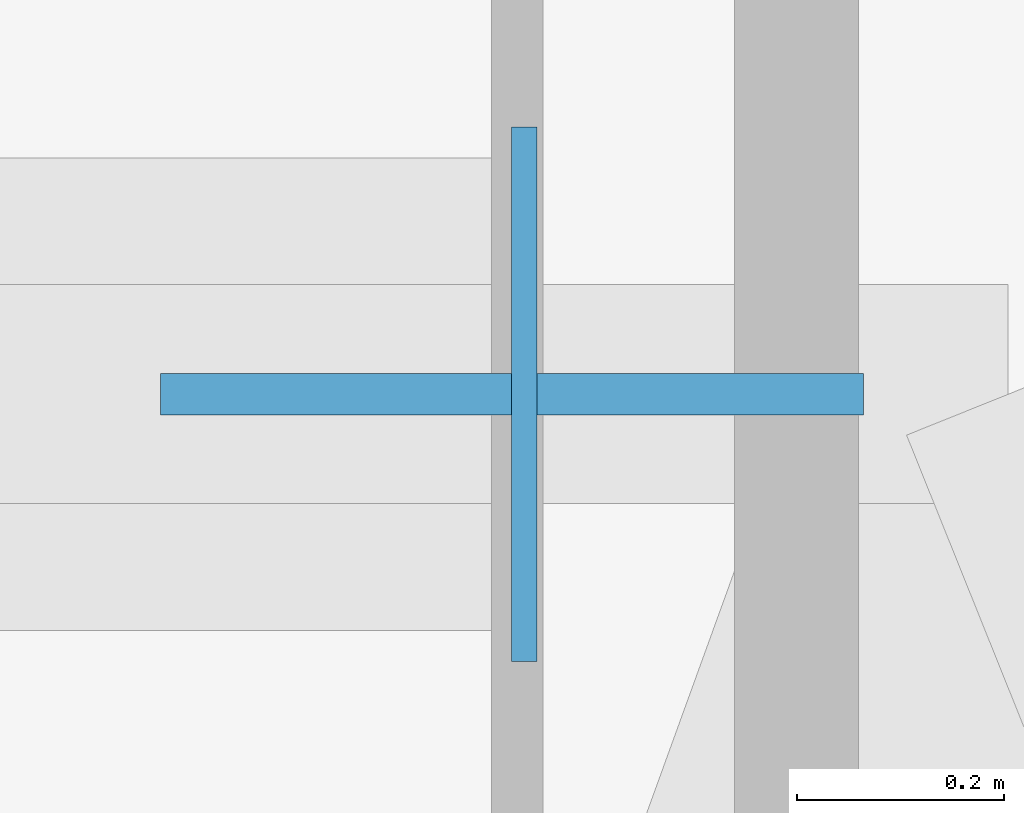
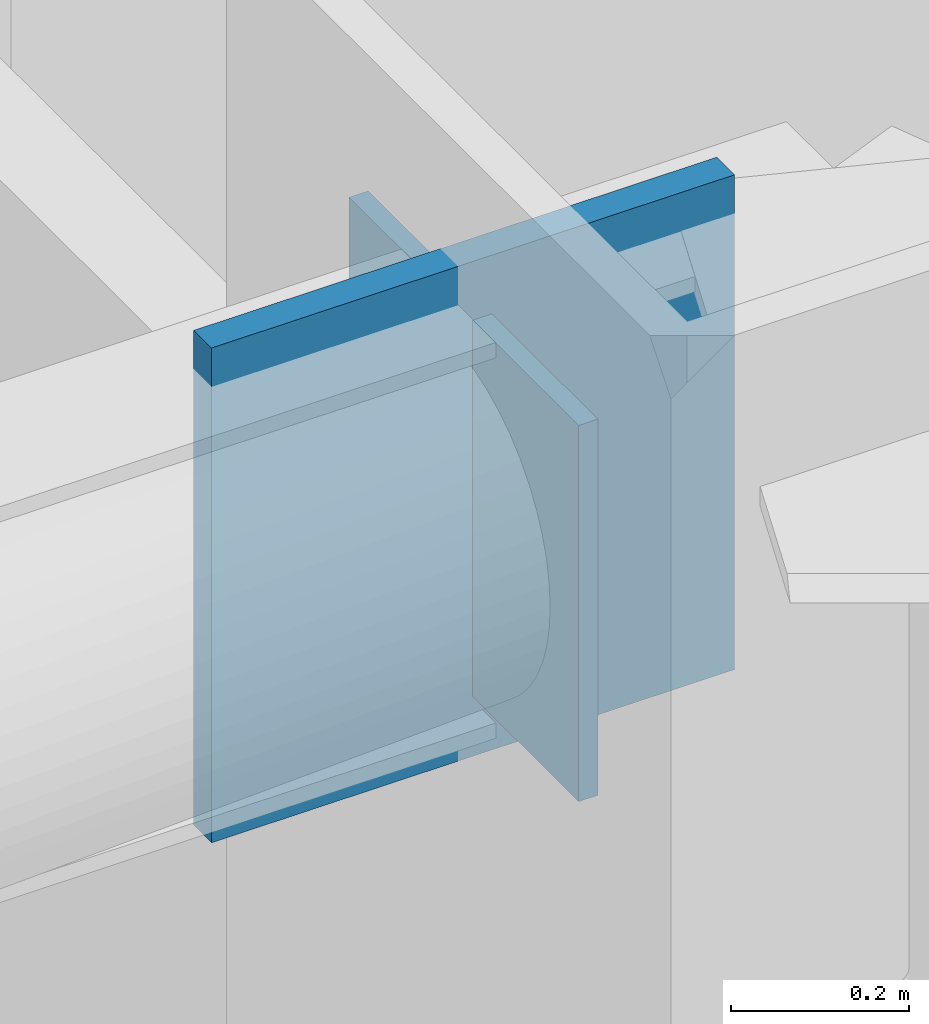
# One storey, part 13 of 21: 2 plates.
"""IFC4 building model written with IfcOpenShell, lengths in metres."""

from ifc_helpers import new_model, si_unit, direction, frame, origin, origin_2d, place, context, subcontext, project, spatial, rectangle, extrude, material, layer, layer_set, type_object, element, save


model = new_model("IFC4")

# Units and contexts
model_context = context("Model", 3, precision=1e-05, world=origin(), true_north=direction((0.0, 1.0)))
body_context = subcontext(model_context, "Body", "Model", "MODEL_VIEW")
ifc_project = project(units=[si_unit("LENGTHUNIT", "METRE"), si_unit("AREAUNIT", "SQUARE_METRE"), si_unit("VOLUMEUNIT", "CUBIC_METRE"), si_unit("PLANEANGLEUNIT", "RADIAN"), si_unit("MASSUNIT", "GRAM", prefix="KILO")], contexts=[model_context])

# Site, building, storey
site_placement = place(None, origin())
site = spatial("IfcSite", under=ifc_project, at=site_placement, CompositionType="ELEMENT")
building_placement = place(site_placement, origin())
building = spatial("IfcBuilding", under=site, at=building_placement, Name="Khamvora Tower", CompositionType="ELEMENT")
storey_placement = place(building_placement, frame((0.0, 0.0, 98.25)))
storey = spatial("IfcBuildingStorey", under=building, at=storey_placement, Name="L24", CompositionType="ELEMENT", Elevation=98.25)

# Plates
ifc_material_1 = material(Name="Steel S355", Category="steel")
ifc_layer_1 = layer(ifc_material_1, 0.02490234375)
ifc_layer_set_1 = layer_set([ifc_layer_1], Name="Steel S355")
plate_type_1 = type_object("IfcPlateType", Name="PL-CAP-25", PredefinedType="SHEET", material=ifc_layer_set_1)
plate_1_placement = place(storey_placement, frame((49.48193359375, 47.300048828125, 2.884521484375), z_axis=(0.0, 0.0, 1.0), x_axis=(1.0, 0.0, 0.0)))
element("IfcPlate", 1, at=plate_1_placement, inside=storey, type_object=plate_type_1, Name="L24 hollow section steel end cap plate 0743", PredefinedType="SHEET", context=body_context, shape_type="SweptSolid", body=[
    extrude(rectangle(XDim=0.02490234375, YDim=0.51708984375, at=origin_2d()), origin(), (0.0, 0.0, 1.0), 0.51708984375),
])
ifc_material_2 = material(Name="Steel S460", Category="steel")
ifc_layer_2 = layer(ifc_material_2, 0.0400390625)
ifc_layer_set_2 = layer_set([ifc_layer_2], Name="Steel S460")
plate_type_2 = type_object("IfcPlateType", Name="PLT-GUS-40", PredefinedType="SHEET", material=ifc_layer_set_2)
plate_2_placement = place(storey_placement, frame((49.469970703125, 47.300048828125, 2.80224609375), z_axis=(0.0, 0.0, 1.0), x_axis=(1.0, 0.0, 0.0)))
element("IfcPlate", 2, at=plate_2_placement, inside=storey, type_object=plate_type_2, Name="L24 brace connection node gusset plate 0176", PredefinedType="SHEET", context=body_context, shape_type="SweptSolid", body=[
    extrude(rectangle(XDim=0.679931640625, YDim=0.0400390625, at=origin_2d()), origin(), (0.0, 0.0, 1.0), 0.679931640625),
])

save(model, "model.ifc")
